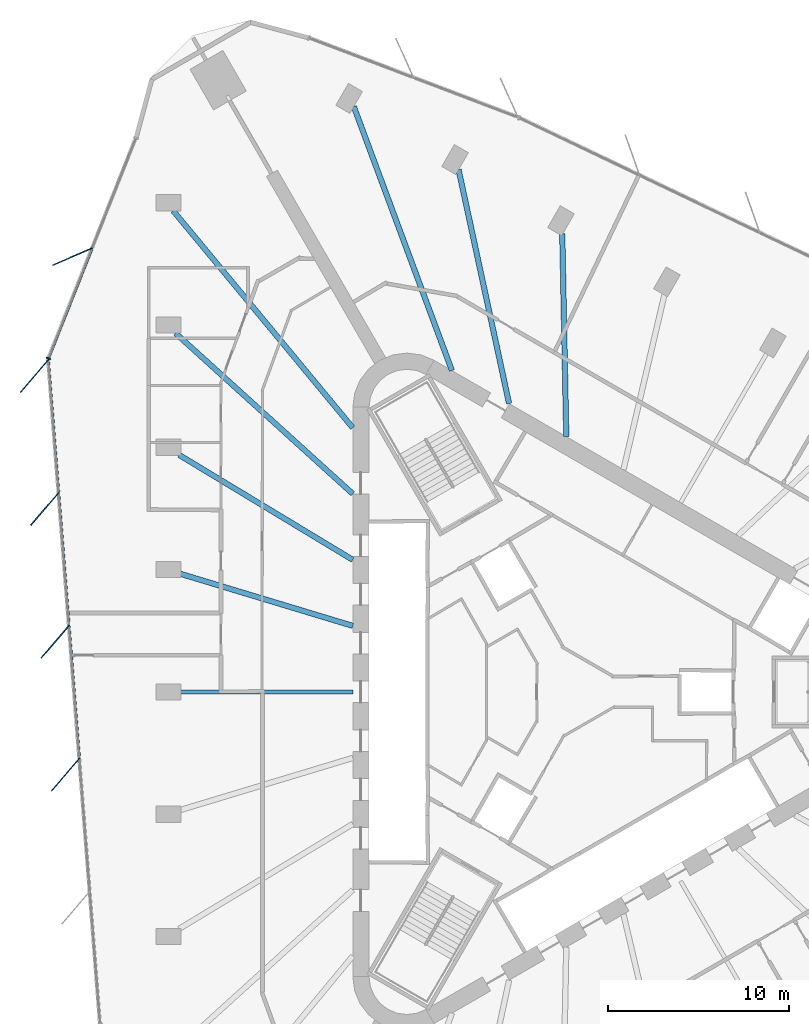
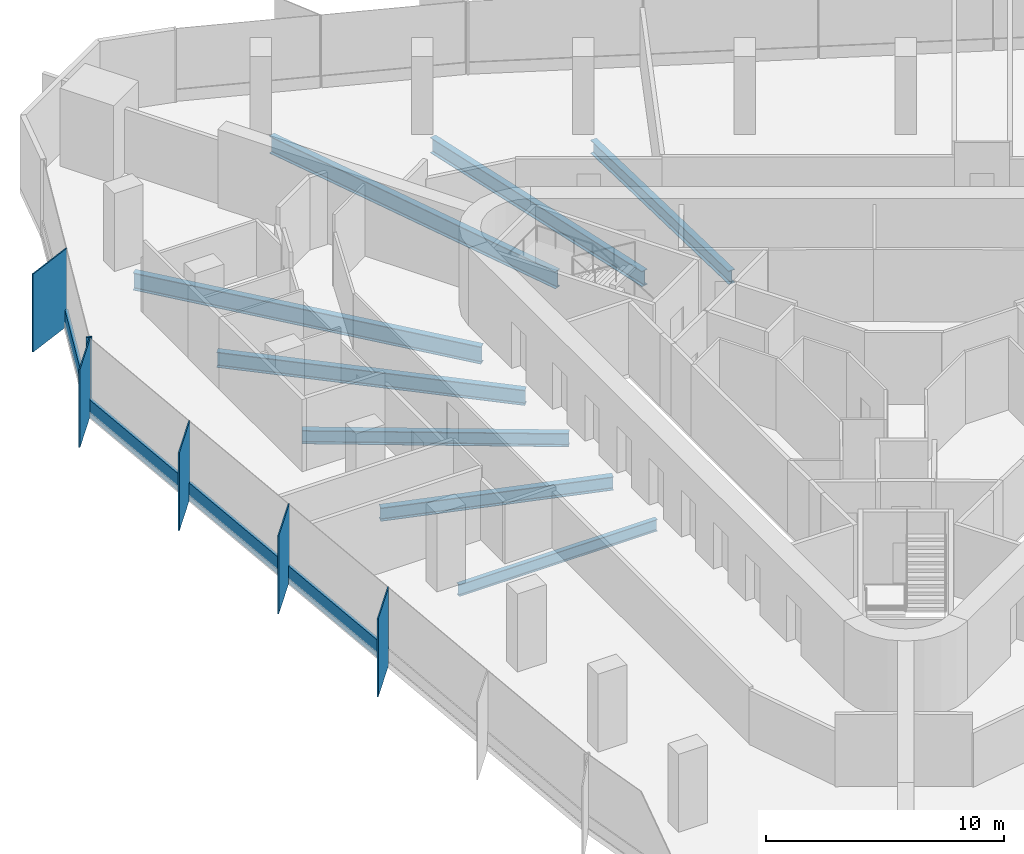
# One storey, part 4 of 13: 10 members, 8 beams, 2 elements without a shape of their own.
"""IFC4 building model written with IfcOpenShell, lengths in metres."""

from ifc_helpers import new_model, si_unit, direction, frame, origin, origin_2d, place, context, subcontext, project, spatial, rectangle, i_section, extrude, material, material_profile, profile_set, type_object, element, aggregate, save


model = new_model("IFC4")

# Units and contexts
model_context = context("Model", 3, precision=1e-05, world=origin(), true_north=direction((0.0, 1.0)))
body_context = subcontext(model_context, "Body", "Model", "MODEL_VIEW")
ifc_project = project(units=[si_unit("LENGTHUNIT", "METRE"), si_unit("AREAUNIT", "SQUARE_METRE"), si_unit("VOLUMEUNIT", "CUBIC_METRE"), si_unit("PLANEANGLEUNIT", "RADIAN"), si_unit("MASSUNIT", "GRAM", prefix="KILO")], contexts=[model_context])

# Site, building, storey
site_placement = place(None, origin())
site = spatial("IfcSite", under=ifc_project, at=site_placement, CompositionType="ELEMENT")
building_placement = place(site_placement, origin())
building = spatial("IfcBuilding", under=site, at=building_placement, Name="Tanit Gate Tower", CompositionType="ELEMENT")
storey_placement = place(building_placement, frame((0.0, 0.0, 193.199951171875)))
storey = spatial("IfcBuildingStorey", under=building, at=storey_placement, Name="L42", CompositionType="ELEMENT", Elevation=193.199951171875)

# Curtain wall, member
ifc_material_1 = material(Name="Aluminium bronze anodised and glass", Category="aluminium")
curtain_wall_type = type_object("IfcCurtainWallType", Name="Curtain wall typical mid", PredefinedType="NOTDEFINED", material=ifc_material_1)
curtain_wall_1_placement = place(storey_placement, origin())
curtain_wall_1 = element("IfcCurtainWall", 1, at=curtain_wall_1_placement, inside=storey, type_object=curtain_wall_type, Name="Curtain wall L42 W1", PredefinedType="NOTDEFINED")
ifc_material_2 = material(Name="Aluminium bronze anodised", Category="aluminium")
ifc_material_profile_1 = material_profile(ifc_material_2, rectangle(XDim=2.39990234375, YDim=0.055908203125, at=origin_2d()), Name="56x2400 bronze fin mullion")
ifc_profile_set_1 = profile_set([ifc_material_profile_1], Name="Aluminium bronze anodised")
member_type_1 = type_object("IfcMemberType", Name="FIN MULLION 56x2400 bronze", PredefinedType="MULLION", material=ifc_profile_set_1)
member_1_placement = place(storey_placement, frame((-27.60888671875, 24.100830078125, -0.300048828125), z_axis=(0.0, 0.0, 1.0), x_axis=(0.917994153151, 0.396593916721, 0.0)))
member_1 = element("IfcMember", 2, at=member_1_placement, type_object=member_type_1, Name="Fin mullion L42 W1.2", PredefinedType="MULLION", context=body_context, shape_type="SweptSolid", body=[
    extrude(rectangle(XDim=2.39990234375, YDim=0.055908203125, at=origin_2d()), origin(), (0.0, 0.0, 1.0), 4.0),
])

# Curtain wall, members
curtain_wall_2_placement = place(storey_placement, origin())
curtain_wall_2 = element("IfcCurtainWall", 3, at=curtain_wall_2_placement, inside=storey, type_object=curtain_wall_type, Name="Curtain wall L42 W2", PredefinedType="NOTDEFINED")
member_2_placement = place(storey_placement, frame((-29.724853515625, 17.4931640625, -0.300048828125), z_axis=(0.0, 0.0, 1.0), x_axis=(0.649921223903, 0.760001580735, 0.0)))
member_2 = element("IfcMember", 4, at=member_2_placement, type_object=member_type_1, Name="Fin mullion L42 W2.1", PredefinedType="MULLION", context=body_context, shape_type="SweptSolid", body=[
    extrude(rectangle(XDim=2.39990234375, YDim=0.055908203125, at=origin_2d()), origin(), (0.0, 0.0, 1.0), 4.0),
])
member_3_placement = place(storey_placement, frame((-29.150390625, 10.13671875, -0.300048828125), z_axis=(0.0, 0.0, 1.0), x_axis=(0.649921223903, 0.760001580735, 0.0)))
member_3 = element("IfcMember", 5, at=member_3_placement, type_object=member_type_1, Name="Fin mullion L42 W2.2", PredefinedType="MULLION", context=body_context, shape_type="SweptSolid", body=[
    extrude(rectangle(XDim=2.39990234375, YDim=0.055908203125, at=origin_2d()), origin(), (0.0, 0.0, 1.0), 4.0),
])
member_4_placement = place(storey_placement, frame((-28.576171875, 2.7802734375, -0.300048828125), z_axis=(0.0, 0.0, 1.0), x_axis=(0.649921223903, 0.760001580735, 0.0)))
member_4 = element("IfcMember", 6, at=member_4_placement, type_object=member_type_1, Name="Fin mullion L42 W2.3", PredefinedType="MULLION", context=body_context, shape_type="SweptSolid", body=[
    extrude(rectangle(XDim=2.39990234375, YDim=0.055908203125, at=origin_2d()), origin(), (0.0, 0.0, 1.0), 4.0),
])
member_5_placement = place(storey_placement, frame((-28.001708984375, -4.576171875, -0.300048828125), z_axis=(0.0, 0.0, 1.0), x_axis=(0.649921223903, 0.760001580735, 0.0)))
member_5 = element("IfcMember", 7, at=member_5_placement, type_object=member_type_1, Name="Fin mullion L42 W2.4", PredefinedType="MULLION", context=body_context, shape_type="SweptSolid", body=[
    extrude(rectangle(XDim=2.39990234375, YDim=0.055908203125, at=origin_2d()), origin(), (0.0, 0.0, 1.0), 4.0),
])

# Member
ifc_material_3 = material(Name="Aluminium bronze anodised", Category="aluminium")
ifc_material_profile_2 = material_profile(ifc_material_3, rectangle(XDim=0.260009765625, YDim=0.080078125, at=origin_2d()), Name="80x260 bronze mullion")
ifc_profile_set_2 = profile_set([ifc_material_profile_2], Name="Aluminium bronze anodised")
member_type_2 = type_object("IfcMemberType", Name="Mullion 80x260 typical mid", PredefinedType="MULLION", material=ifc_profile_set_2)
member_6_placement = place(storey_placement, frame((-28.947021484375, 18.466064453125, -0.300048828125), z_axis=(0.0, 0.0, 1.0), x_axis=(0.929554138674, -0.368685642892, 0.0)))
member_6 = element("IfcMember", 8, at=member_6_placement, type_object=member_type_2, Name="Mullion L42 W1.3", PredefinedType="MULLION", context=body_context, shape_type="SweptSolid", body=[
    extrude(rectangle(XDim=0.260009765625, YDim=0.080078125, at=origin_2d()), origin(), (0.0, 0.0, 1.0), 4.0),
])

# Beams
ifc_material_4 = material(Name="Steel S355", Category="steel")
ifc_material_profile_3 = material_profile(ifc_material_4, i_section(OverallWidth=0.300048828125, OverallDepth=0.68994140625, WebThickness=0.014404296875, FlangeThickness=0.027099609375, FilletRadius=0.027099609375, at=origin_2d()), Name="HEA 700")
ifc_profile_set_3 = profile_set([ifc_material_profile_3], Name="Steel S355")
beam_type_1 = type_object("IfcBeamType", Name="RADIAL GIRDER HEA 700 S355", PredefinedType="BEAM", material=ifc_profile_set_3)
for number, where, z_axis, x_axis, name in (
    (9, (-0.504150390625, 25.364990234375, -0.64501953125), (0.019869098262, -0.999802589982, 0.0), (0.999802589982, 0.019869098262, 0.0), "RADIAL GIRDER"),
    (10, (-21.714599609375, 13.119140625, -0.64501953125), (0.855914138783, -0.517117962395, 0.0), (0.517117962395, 0.855914138783, 0.0), "RADIAL GIRDER"),
):
    element("IfcBeam", number, at=place(storey_placement, frame(where, z_axis=z_axis, x_axis=x_axis)), inside=storey, type_object=beam_type_1, Name=name, PredefinedType="BEAM", context=body_context, shape_type="SweptSolid", body=[
        extrude(i_section(OverallWidth=0.300048828125, OverallDepth=0.68994140625, WebThickness=0.014404296875, FlangeThickness=0.027099609375, FilletRadius=0.027099609375, at=origin_2d()), origin(), (0.0, 0.0, 1.0), 11.230712890625),
    ])
beam_1_placement = place(storey_placement, frame((-21.714599609375, 6.5595703125, -0.64501953125), z_axis=(0.95727515036, -0.28917864116, 0.0), x_axis=(0.28917864116, 0.95727515036, 0.0)))
element("IfcBeam", 11, at=beam_1_placement, inside=storey, type_object=beam_type_1, Name="RADIAL GIRDER", PredefinedType="BEAM", context=body_context, shape_type="SweptSolid", body=[
    extrude(i_section(OverallWidth=0.300048828125, OverallDepth=0.68994140625, WebThickness=0.014404296875, FlangeThickness=0.027099609375, FilletRadius=0.027099609375, at=origin_2d()), origin(), (0.0, 0.0, 1.0), 10.04150390625),
])
ifc_material_5 = material(Name="Steel S355", Category="steel")
ifc_material_profile_4 = material_profile(ifc_material_5, i_section(OverallWidth=0.300048828125, OverallDepth=0.7900390625, WebThickness=0.014892578125, FlangeThickness=0.028076171875, FilletRadius=0.030029296875, at=origin_2d()), Name="HEA 800")
ifc_profile_set_4 = profile_set([ifc_material_profile_4], Name="Steel S355")
beam_type_2 = type_object("IfcBeamType", Name="RADIAL GIRDER HEA 800 S355", PredefinedType="BEAM", material=ifc_profile_set_4)
beam_2_placement = place(storey_placement, frame((-6.242919921875, 28.9130859375, -0.695068359375), z_axis=(0.211052986888, -0.977474622037, 0.0), x_axis=(0.977474622037, 0.211052986888, 0.0)))
element("IfcBeam", 12, at=beam_2_placement, inside=storey, type_object=beam_type_2, Name="RADIAL GIRDER", PredefinedType="BEAM", context=body_context, shape_type="SweptSolid", body=[
    extrude(i_section(OverallWidth=0.300048828125, OverallDepth=0.7900390625, WebThickness=0.014892578125, FlangeThickness=0.028076171875, FilletRadius=0.030029296875, at=origin_2d()), origin(), (0.0, 0.0, 1.0), 13.247314453125),
])
beam_3_placement = place(storey_placement, frame((-21.918212890625, 19.86279296875, -0.695068359375), z_axis=(0.741001566529, -0.671503297387, 0.0), x_axis=(0.671503297387, 0.741001566529, 0.0)))
element("IfcBeam", 13, at=beam_3_placement, inside=storey, type_object=beam_type_2, Name="RADIAL GIRDER", PredefinedType="BEAM", context=body_context, shape_type="SweptSolid", body=[
    extrude(i_section(OverallWidth=0.300048828125, OverallDepth=0.7900390625, WebThickness=0.014892578125, FlangeThickness=0.028076171875, FilletRadius=0.030029296875, at=origin_2d()), origin(), (0.0, 0.0, 1.0), 13.2470703125),
])
ifc_material_6 = material(Name="Steel S355", Category="steel")
ifc_material_profile_5 = material_profile(ifc_material_6, i_section(OverallWidth=0.300048828125, OverallDepth=0.889892578125, WebThickness=0.01611328125, FlangeThickness=0.030029296875, FilletRadius=0.030029296875, at=origin_2d()), Name="HEA 900")
ifc_profile_set_5 = profile_set([ifc_material_profile_5], Name="Steel S355")
beam_type_3 = type_object("IfcBeamType", Name="RADIAL GIRDER HEA 900 S355", PredefinedType="BEAM", material=ifc_profile_set_5)
beam_4_placement = place(storey_placement, frame((-12.04443359375, 32.40625, -0.744873046875), z_axis=(0.348383102876, -0.937352235625, 0.0), x_axis=(0.937352235625, 0.348383102876, 0.0)))
element("IfcBeam", 14, at=beam_4_placement, inside=storey, type_object=beam_type_3, Name="RADIAL GIRDER", PredefinedType="BEAM", context=body_context, shape_type="SweptSolid", body=[
    extrude(i_section(OverallWidth=0.300048828125, OverallDepth=0.889892578125, WebThickness=0.01611328125, FlangeThickness=0.030029296875, FilletRadius=0.030029296875, at=origin_2d()), origin(), (0.0, 0.0, 1.0), 15.591064453125),
])
beam_5_placement = place(storey_placement, frame((-22.042236328125, 26.6337890625, -0.744873046875), z_axis=(0.637577648995, -0.77038609898, 0.0), x_axis=(0.77038609898, 0.637577648995, 0.0)))
element("IfcBeam", 15, at=beam_5_placement, inside=storey, type_object=beam_type_3, Name="RADIAL GIRDER", PredefinedType="BEAM", context=body_context, shape_type="SweptSolid", body=[
    extrude(i_section(OverallWidth=0.300048828125, OverallDepth=0.889892578125, WebThickness=0.01611328125, FlangeThickness=0.030029296875, FilletRadius=0.030029296875, at=origin_2d()), origin(), (0.0, 0.0, 1.0), 15.590576171875),
])
ifc_material_7 = material(Name="Steel S355", Category="steel")
ifc_material_profile_6 = material_profile(ifc_material_7, i_section(OverallWidth=0.219970703125, OverallDepth=0.60009765625, WebThickness=0.011962890625, FlangeThickness=0.01904296875, FilletRadius=0.02392578125, at=origin_2d()), Name="IPE 600")
ifc_profile_set_6 = profile_set([ifc_material_profile_6], Name="Steel S355")
beam_type_4 = type_object("IfcBeamType", Name="RADIAL GIRDER IPE 600 S355", PredefinedType="BEAM", material=ifc_profile_set_6)
beam_6_placement = place(storey_placement, frame((-21.714599609375, 0.0, -0.599853515625), z_axis=(1.0, 0.0, 0.0), x_axis=(0.0, 1.0, 0.0)))
element("IfcBeam", 16, at=beam_6_placement, inside=storey, type_object=beam_type_4, Name="RADIAL GIRDER", PredefinedType="BEAM", context=body_context, shape_type="SweptSolid", body=[
    extrude(i_section(OverallWidth=0.219970703125, OverallDepth=0.60009765625, WebThickness=0.011962890625, FlangeThickness=0.01904296875, FilletRadius=0.02392578125, at=origin_2d()), origin(), (0.0, 0.0, 1.0), 9.612548828125),
])

# Member
ifc_material_8 = material(Name="Aluminium bronze anodised", Category="aluminium")
ifc_material_profile_7 = material_profile(ifc_material_8, rectangle(XDim=0.139892578125, YDim=0.89990234375, at=origin_2d()), Name="140x900 bronze transom")
ifc_profile_set_7 = profile_set([ifc_material_profile_7], Name="Aluminium bronze anodised")
member_type_3 = type_object("IfcMemberType", Name="Transom 140x900 typical mid", PredefinedType="USERDEFINED", material=ifc_profile_set_7)
member_7_placement = place(storey_placement, frame((-26.54150390625, 24.531005859375, 0.150146484375), z_axis=(-0.368695272447, -0.929550319281, 0.0), x_axis=(0.929550319281, -0.368695272447, 0.0)))
member_7 = element("IfcMember", 17, at=member_7_placement, type_object=member_type_3, Name="Transom L42 W1.2", ObjectType="TRANSOM", PredefinedType="USERDEFINED", context=body_context, shape_type="SweptSolid", body=[
    extrude(rectangle(XDim=0.139892578125, YDim=0.89990234375, at=origin_2d()), origin(), (0.0, 0.0, 1.0), 6.484619140625),
])

aggregate(curtain_wall_1, [member_1, member_6, member_7])

member_8_placement = place(storey_placement, frame((-28.95556640625, 18.34912109375, 0.150146484375), z_axis=(0.077837277659, -0.996966076758, 0.0), x_axis=(0.996966076758, 0.077837277659, 0.0)))
member_8 = element("IfcMember", 18, at=member_8_placement, type_object=member_type_3, Name="Transom L42 W2.1", ObjectType="TRANSOM", PredefinedType="USERDEFINED", context=body_context, shape_type="SweptSolid", body=[
    extrude(rectangle(XDim=0.139892578125, YDim=0.89990234375, at=origin_2d()), origin(), (0.0, 0.0, 1.0), 7.298828125),
])

member_9_placement = place(storey_placement, frame((-28.381103515625, 10.99267578125, 0.150146484375), z_axis=(0.077837277659, -0.996966076758, 0.0), x_axis=(0.996966076758, 0.077837277659, 0.0)))
member_9 = element("IfcMember", 19, at=member_9_placement, type_object=member_type_3, Name="Transom L42 W2.2", ObjectType="TRANSOM", PredefinedType="USERDEFINED", context=body_context, shape_type="SweptSolid", body=[
    extrude(rectangle(XDim=0.139892578125, YDim=0.89990234375, at=origin_2d()), origin(), (0.0, 0.0, 1.0), 7.298828125),
])

member_10_placement = place(storey_placement, frame((-27.806884765625, 3.63623046875, 0.150146484375), z_axis=(0.077837277659, -0.996966076758, 0.0), x_axis=(0.996966076758, 0.077837277659, 0.0)))
member_10 = element("IfcMember", 20, at=member_10_placement, type_object=member_type_3, Name="Transom L42 W2.3", ObjectType="TRANSOM", PredefinedType="USERDEFINED", context=body_context, shape_type="SweptSolid", body=[
    extrude(rectangle(XDim=0.139892578125, YDim=0.89990234375, at=origin_2d()), origin(), (0.0, 0.0, 1.0), 7.298828125),
])

aggregate(curtain_wall_2, [member_2, member_3, member_4, member_5, member_8, member_9, member_10])

save(model, "model.ifc")
